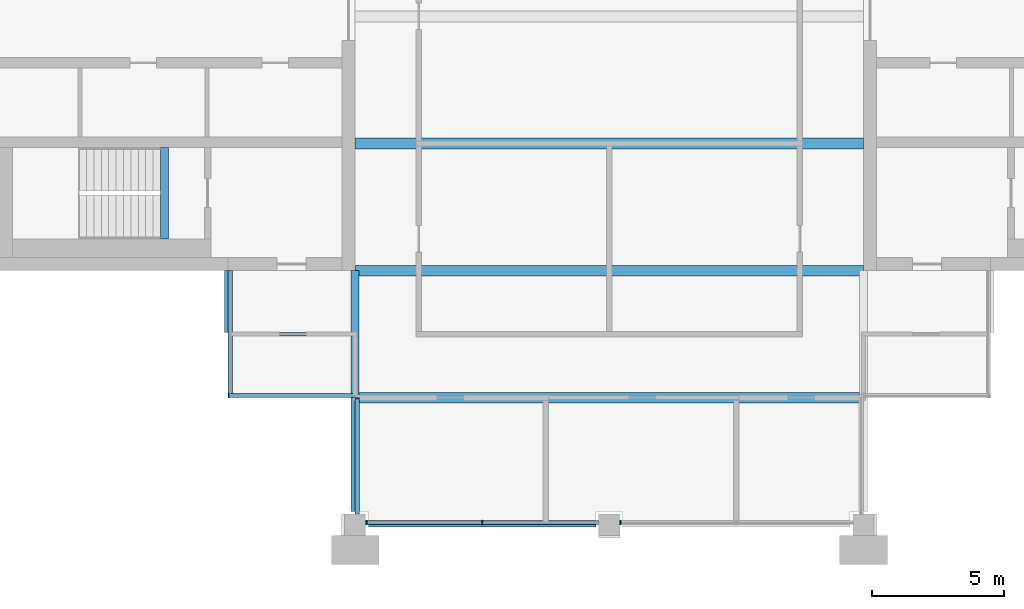
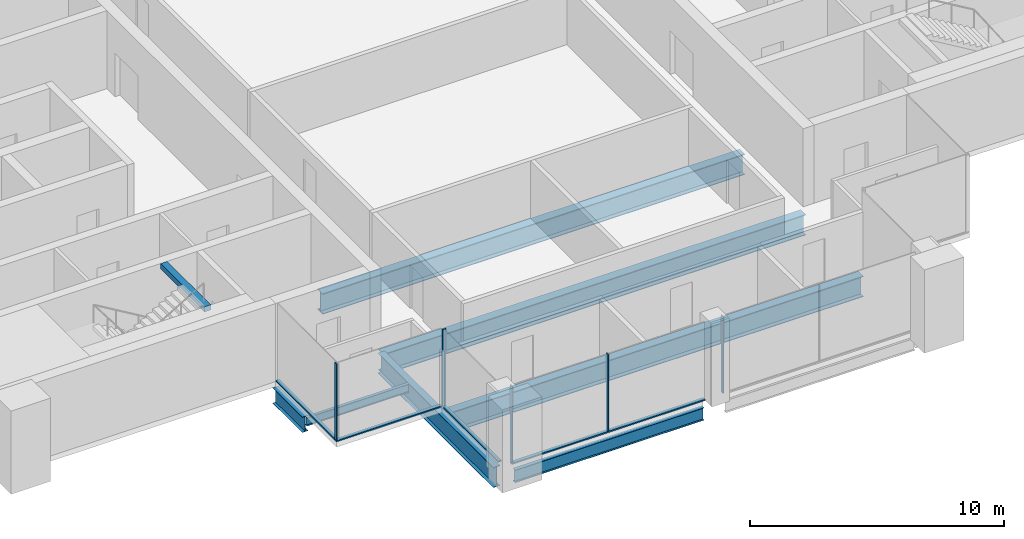
# One storey, part 2 of 11: 9 members, 8 beams, 5 elements without a shape of their own.
"""IFC4 building model written with IfcOpenShell, lengths in metres."""

from ifc_helpers import new_model, si_unit, direction, frame, origin, origin_2d, place, context, subcontext, project, spatial, rectangle, i_section, extrude, material, material_profile, profile_set, type_object, element, aggregate, save


model = new_model("IFC4")

# Units and contexts
model_context = context("Model", 3, precision=1e-05, world=origin(), true_north=direction((0.0, 1.0)))
body_context = subcontext(model_context, "Body", "Model", "MODEL_VIEW")
ifc_project = project(units=[si_unit("LENGTHUNIT", "METRE"), si_unit("AREAUNIT", "SQUARE_METRE"), si_unit("VOLUMEUNIT", "CUBIC_METRE"), si_unit("PLANEANGLEUNIT", "RADIAN"), si_unit("MASSUNIT", "GRAM", prefix="KILO")], contexts=[model_context])

# Site, building, storey
site_placement = place(None, origin())
site = spatial("IfcSite", under=ifc_project, at=site_placement, CompositionType="ELEMENT")
building_placement = place(site_placement, origin())
building = spatial("IfcBuilding", under=site, at=building_placement, Name="Baori Bourse Tower", CompositionType="ELEMENT")
storey_placement = place(building_placement, frame((0.0, 0.0, 354.300048828125)))
storey = spatial("IfcBuildingStorey", under=building, at=storey_placement, Name="L79", CompositionType="ELEMENT", Elevation=354.300048828125)

# Curtain wall, member
ifc_material_1 = material(Name="Pale anodised aluminium", Category="aluminium")
curtain_wall_type = type_object("IfcCurtainWallType", Name="CW3 Curtain wall", PredefinedType="NOTDEFINED", material=ifc_material_1)
curtain_wall_1_placement = place(storey_placement, origin())
curtain_wall_1 = element("IfcCurtainWall", 1, at=curtain_wall_1_placement, inside=storey, type_object=curtain_wall_type, Name="Curtain wall CW3 L79 11", PredefinedType="NOTDEFINED")
ifc_material_2 = material(Name="Pale anodised aluminium", Category="aluminium")
ifc_material_profile_1 = material_profile(ifc_material_2, rectangle(XDim=0.159912109375, YDim=0.050048828125, at=origin_2d()), Name="Mullion 50x160")
ifc_profile_set_1 = profile_set([ifc_material_profile_1], Name="Pale anodised aluminium")
member_type_1 = type_object("IfcMemberType", Name="CW3 Curtain wall mullion", PredefinedType="MULLION", material=ifc_profile_set_1)
member_1_placement = place(storey_placement, frame((14.425048828125, 4.8798828125, 0.06005859375), z_axis=(0.0, 0.0, 1.0), x_axis=(0.0, 1.0, 0.0)))
member_1 = element("IfcMember", 2, at=member_1_placement, type_object=member_type_1, Name="Curtain wall CW3 mullion", PredefinedType="MULLION", context=body_context, shape_type="SweptSolid", body=[
    extrude(rectangle(XDim=0.159912109375, YDim=0.050048828125, at=origin_2d()), origin(), (0.0, 0.0, 1.0), 3.68994140625),
])

curtain_wall_2_placement = place(storey_placement, origin())
curtain_wall_2 = element("IfcCurtainWall", 3, at=curtain_wall_2_placement, inside=storey, type_object=curtain_wall_type, Name="Curtain wall CW3 L79 12", PredefinedType="NOTDEFINED")
member_2_placement = place(storey_placement, frame((19.280029296875, 4.77490234375, 0.06005859375), z_axis=(0.0, 0.0, 1.0), x_axis=(1.0, 0.0, 0.0)))
member_2 = element("IfcMember", 4, at=member_2_placement, type_object=member_type_1, Name="Curtain wall CW3 mullion", PredefinedType="MULLION", context=body_context, shape_type="SweptSolid", body=[
    extrude(rectangle(XDim=0.159912109375, YDim=0.050048828125, at=origin_2d()), origin(), (0.0, 0.0, 1.0), 3.68994140625),
])

# Curtain wall, members
curtain_wall_3_placement = place(storey_placement, origin())
curtain_wall_3 = element("IfcCurtainWall", 5, at=curtain_wall_3_placement, inside=storey, type_object=curtain_wall_type, Name="Curtain wall CW3 L79 13", PredefinedType="NOTDEFINED")
member_3_placement = place(storey_placement, frame((19.625, 0.080078125, 0.06005859375), z_axis=(0.0, 0.0, 1.0), x_axis=(0.0, 1.0, 0.0)))
member_3 = element("IfcMember", 6, at=member_3_placement, type_object=member_type_1, Name="Curtain wall CW3 mullion", PredefinedType="MULLION", context=body_context, shape_type="SweptSolid", body=[
    extrude(rectangle(XDim=0.159912109375, YDim=0.050048828125, at=origin_2d()), origin(), (0.0, 0.0, 1.0), 3.68994140625),
])
member_4_placement = place(storey_placement, frame((24.0, 0.080078125, 0.06005859375), z_axis=(0.0, 0.0, 1.0), x_axis=(0.0, 1.0, 0.0)))
member_4 = element("IfcMember", 7, at=member_4_placement, type_object=member_type_1, Name="Curtain wall CW3 mullion", PredefinedType="MULLION", context=body_context, shape_type="SweptSolid", body=[
    extrude(rectangle(XDim=0.159912109375, YDim=0.050048828125, at=origin_2d()), origin(), (0.0, 0.0, 1.0), 3.68994140625),
])

# Curtain wall, member
curtain_wall_4_placement = place(storey_placement, origin())
curtain_wall_4 = element("IfcCurtainWall", 8, at=curtain_wall_4_placement, inside=storey, type_object=curtain_wall_type, Name="Curtain wall CW3 L79 14", PredefinedType="NOTDEFINED")
member_5_placement = place(storey_placement, frame((29.22509765625, 0.080078125, 0.06005859375), z_axis=(0.0, 0.0, 1.0), x_axis=(0.0, 1.0, 0.0)))
member_5 = element("IfcMember", 9, at=member_5_placement, type_object=member_type_1, Name="Curtain wall CW3 mullion", PredefinedType="MULLION", context=body_context, shape_type="SweptSolid", body=[
    extrude(rectangle(XDim=0.159912109375, YDim=0.050048828125, at=origin_2d()), origin(), (0.0, 0.0, 1.0), 3.68994140625),
])
aggregate(curtain_wall_4, [member_5])

curtain_wall_5_placement = place(storey_placement, origin())
curtain_wall_5 = element("IfcCurtainWall", 10, at=curtain_wall_5_placement, inside=storey, type_object=curtain_wall_type, Name="Curtain wall CW3 L79 10", PredefinedType="NOTDEFINED")
ifc_material_3 = material(Name="Pale anodised aluminium", Category="aluminium")
ifc_material_profile_2 = material_profile(ifc_material_3, rectangle(XDim=0.159912109375, YDim=0.06005859375, at=origin_2d()), Name="Transom 60x160")
ifc_profile_set_2 = profile_set([ifc_material_profile_2], Name="Pale anodised aluminium")
member_type_2 = type_object("IfcMemberType", Name="CW3 Curtain wall transom", PredefinedType="USERDEFINED", material=ifc_profile_set_2)
member_6_placement = place(storey_placement, frame((14.47998046875, 9.60009765625, 0.030029296875), z_axis=(0.0, -1.0, 0.0), x_axis=(1.0, 0.0, 0.0)))
member_6 = element("IfcMember", 11, at=member_6_placement, type_object=member_type_2, Name="Curtain wall CW3 sill rail", ObjectType="TRANSOM", PredefinedType="USERDEFINED", context=body_context, shape_type="SweptSolid", body=[
    extrude(rectangle(XDim=0.159912109375, YDim=0.06005859375, at=origin_2d()), origin(), (0.0, 0.0, 1.0), 4.800048828125),
])
aggregate(curtain_wall_5, [member_6])

# Member
member_7_placement = place(storey_placement, frame((14.39990234375, 4.8798828125, 0.030029296875), z_axis=(1.0, 0.0, 0.0), x_axis=(0.0, 1.0, 0.0)))
member_7 = element("IfcMember", 12, at=member_7_placement, type_object=member_type_2, Name="Curtain wall CW3 sill rail", ObjectType="TRANSOM", PredefinedType="USERDEFINED", context=body_context, shape_type="SweptSolid", body=[
    extrude(rectangle(XDim=0.159912109375, YDim=0.06005859375, at=origin_2d()), origin(), (0.0, 0.0, 1.0), 4.800048828125),
])

aggregate(curtain_wall_1, [member_7, member_1])

member_8_placement = place(storey_placement, frame((19.280029296875, 4.800048828125, 0.030029296875), z_axis=(0.0, -1.0, 0.0), x_axis=(1.0, 0.0, 0.0)))
member_8 = element("IfcMember", 13, at=member_8_placement, type_object=member_type_2, Name="Curtain wall CW3 sill rail", ObjectType="TRANSOM", PredefinedType="USERDEFINED", context=body_context, shape_type="SweptSolid", body=[
    extrude(rectangle(XDim=0.159912109375, YDim=0.06005859375, at=origin_2d()), origin(), (0.0, 0.0, 1.0), 4.400146484375),
])

aggregate(curtain_wall_2, [member_8, member_2])

member_9_placement = place(storey_placement, frame((19.60009765625, 0.080078125, 0.030029296875), z_axis=(1.0, 0.0, 0.0), x_axis=(0.0, 1.0, 0.0)))
member_9 = element("IfcMember", 14, at=member_9_placement, type_object=member_type_2, Name="Curtain wall CW3 sill rail", ObjectType="TRANSOM", PredefinedType="USERDEFINED", context=body_context, shape_type="SweptSolid", body=[
    extrude(rectangle(XDim=0.159912109375, YDim=0.06005859375, at=origin_2d()), origin(), (0.0, 0.0, 1.0), 8.7998046875),
])

aggregate(curtain_wall_3, [member_9, member_3, member_4])

# Beams
ifc_material_4 = material(Name="Steel A992 Gr 50", Category="steel")
ifc_material_profile_3 = material_profile(ifc_material_4, i_section(OverallWidth=0.26416015625, OverallDepth=0.749267578125, WebThickness=0.011962890625, FlangeThickness=0.015380859375, at=origin_2d()), Name="W30x90")
ifc_profile_set_3 = profile_set([ifc_material_profile_3], Name="Steel A992 Gr 50")
beam_type_1 = type_object("IfcBeamType", Name="Core bracket W30x90", PredefinedType="BEAM", material=ifc_profile_set_3)
beam_1_placement = place(storey_placement, frame((14.39990234375, 7.270263671875, -0.624755859375), z_axis=(0.0, 1.0, 0.0), x_axis=(-1.0, 0.0, 0.0)))
element("IfcBeam", 15, at=beam_1_placement, inside=storey, type_object=beam_type_1, Name="Core bracket L79", PredefinedType="BEAM", context=body_context, shape_type="SweptSolid", body=[
    extrude(i_section(OverallWidth=0.26416015625, OverallDepth=0.749267578125, WebThickness=0.011962890625, FlangeThickness=0.015380859375, at=origin_2d()), origin(), (0.0, 0.0, 1.0), 2.329833984375),
])
ifc_material_5 = material(Name="Steel A992 Gr 50", Category="steel")
ifc_material_profile_4 = material_profile(ifc_material_5, i_section(OverallWidth=0.177978515625, OverallDepth=0.599365234375, WebThickness=0.010009765625, FlangeThickness=0.012939453125, at=origin_2d()), Name="W24x55")
ifc_profile_set_4 = profile_set([ifc_material_profile_4], Name="Steel A992 Gr 50")
beam_type_2 = type_object("IfcBeamType", Name="Edge beam W24x55", PredefinedType="BEAM", material=ifc_profile_set_4)
beam_2_placement = place(storey_placement, frame((19.699951171875, 0.0, -0.5498046875), z_axis=(1.0, 0.0, 0.0), x_axis=(0.0, 1.0, 0.0)))
element("IfcBeam", 16, at=beam_2_placement, inside=storey, type_object=beam_type_2, Name="Edge beam L79", PredefinedType="BEAM", context=body_context, shape_type="SweptSolid", body=[
    extrude(i_section(OverallWidth=0.177978515625, OverallDepth=0.599365234375, WebThickness=0.010009765625, FlangeThickness=0.012939453125, at=origin_2d()), origin(), (0.0, 0.0, 1.0), 8.60009765625),
])
ifc_material_6 = material(Name="Steel A992 Gr 50", Category="steel")
ifc_material_profile_5 = material_profile(ifc_material_6, i_section(OverallWidth=0.4013671875, OverallDepth=0.990478515625, WebThickness=0.0166015625, FlangeThickness=0.031005859375, at=origin_2d()), Name="W40x215")
ifc_profile_set_5 = profile_set([ifc_material_profile_5], Name="Steel A992 Gr 50")
beam_type_3 = type_object("IfcBeamType", Name="Floor beam W40x215", PredefinedType="BEAM", material=ifc_profile_set_5)
beam_3_placement = place(storey_placement, frame((19.349853515625, 4.800048828125, -0.745361328125), z_axis=(1.0, 0.0, 0.0), x_axis=(0.0, 1.0, 0.0)))
element("IfcBeam", 17, at=beam_3_placement, inside=storey, type_object=beam_type_3, Name="Floor beam L79", PredefinedType="BEAM", context=body_context, shape_type="SweptSolid", body=[
    extrude(i_section(OverallWidth=0.4013671875, OverallDepth=0.990478515625, WebThickness=0.0166015625, FlangeThickness=0.031005859375, at=origin_2d()), origin(), (0.0, 0.0, 1.0), 18.900390625),
])
for number, where, z_axis, x_axis, name in (
    (18, (19.199951171875, 9.60009765625, -0.745361328125), (1.0, 0.0, 0.0), (0.0, 1.0, 0.0), "Floor beam L79"),
    (19, (19.199951171875, 14.39990234375, -0.745361328125), (1.0, 0.0, 0.0), (0.0, 1.0, 0.0), "Floor beam L79"),
):
    element("IfcBeam", number, at=place(storey_placement, frame(where, z_axis=z_axis, x_axis=x_axis)), inside=storey, type_object=beam_type_3, Name=name, PredefinedType="BEAM", context=body_context, shape_type="SweptSolid", body=[
        extrude(i_section(OverallWidth=0.4013671875, OverallDepth=0.990478515625, WebThickness=0.0166015625, FlangeThickness=0.031005859375, at=origin_2d()), origin(), (0.0, 0.0, 1.0), 19.199951171875),
    ])
ifc_material_7 = material(Name="Steel A992 Gr 50", Category="steel")
ifc_material_profile_6 = material_profile(ifc_material_7, i_section(OverallWidth=0.2998046875, OverallDepth=0.97021484375, WebThickness=0.01611328125, FlangeThickness=0.02099609375, at=origin_2d()), Name="W40x149")
ifc_profile_set_6 = profile_set([ifc_material_profile_6], Name="Steel A992 Gr 50")
beam_type_4 = type_object("IfcBeamType", Name="Girder W40x149", PredefinedType="BEAM", material=ifc_profile_set_6)
beam_4_placement = place(storey_placement, frame((19.199951171875, 0.5, -0.735107421875), z_axis=(0.0, 1.0, 0.0), x_axis=(-1.0, 0.0, 0.0)))
element("IfcBeam", 20, at=beam_4_placement, inside=storey, type_object=beam_type_4, Name="Girder L79", PredefinedType="BEAM", context=body_context, shape_type="SweptSolid", body=[
    extrude(i_section(OverallWidth=0.2998046875, OverallDepth=0.97021484375, WebThickness=0.01611328125, FlangeThickness=0.02099609375, at=origin_2d()), origin(), (0.0, 0.0, 1.0), 9.10009765625),
])
ifc_material_8 = material(Name="Concrete f'c 50 MPa", Category="concrete")
ifc_material_profile_7 = material_profile(ifc_material_8, rectangle(XDim=0.300048828125, YDim=0.25, at=origin_2d()), Name="RC 300x250")
ifc_profile_set_7 = profile_set([ifc_material_profile_7], Name="Concrete f'c 50 MPa")
beam_type_5 = type_object("IfcBeamType", Name="Stair nib beam RC 300x250", PredefinedType="BEAM", material=ifc_profile_set_7)
beam_5_placement = place(storey_placement, frame((12.0, 10.800048828125, 3.625), z_axis=(0.0, 1.0, 0.0), x_axis=(-1.0, 0.0, 0.0)))
element("IfcBeam", 21, at=beam_5_placement, inside=storey, type_object=beam_type_5, Name="Stair WA nib beam L80", PredefinedType="BEAM", context=body_context, shape_type="SweptSolid", body=[
    extrude(rectangle(XDim=0.300048828125, YDim=0.25, at=origin_2d()), origin(), (0.0, 0.0, 1.0), 3.449951171875),
])
ifc_material_9 = material(Name="Steel A992 Gr 50", Category="steel")
ifc_material_profile_8 = material_profile(ifc_material_9, i_section(OverallWidth=0.140380859375, OverallDepth=0.40380859375, WebThickness=0.007080078125, FlangeThickness=0.01123046875, at=origin_2d()), Name="W16x31")
ifc_profile_set_8 = profile_set([ifc_material_profile_8], Name="Steel A992 Gr 50")
beam_type_6 = type_object("IfcBeamType", Name="Trimmer beam W16x31", PredefinedType="BEAM", material=ifc_profile_set_8)
beam_6_placement = place(storey_placement, frame((14.39990234375, 7.199951171875, -0.451904296875), z_axis=(1.0, 0.0, 0.0), x_axis=(0.0, 1.0, 0.0)))
element("IfcBeam", 22, at=beam_6_placement, inside=storey, type_object=beam_type_6, Name="Trimmer beam L79", PredefinedType="BEAM", context=body_context, shape_type="SweptSolid", body=[
    extrude(i_section(OverallWidth=0.140380859375, OverallDepth=0.40380859375, WebThickness=0.007080078125, FlangeThickness=0.01123046875, at=origin_2d()), origin(), (0.0, 0.0, 1.0), 4.650146484375),
])

save(model, "model.ifc")
